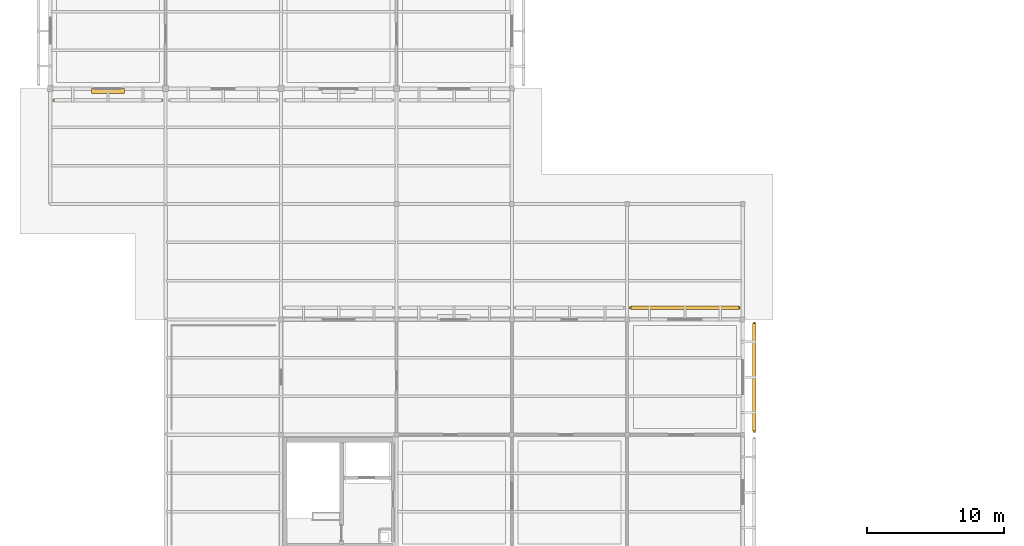
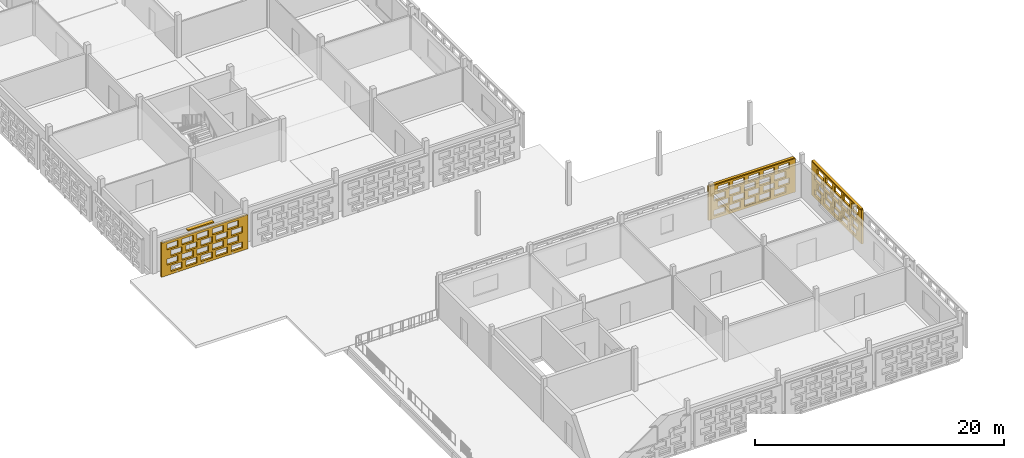
# One storey, part 84 of 103: 3 coverings, 3 shading devices, 60 openings.
"""IFC4 building model written with IfcOpenShell, lengths in metres."""

import ifcopenshell
import ifcopenshell.guid

model = None  # the IFC model being written
_history = None  # IfcOwnerHistory: only IFC2X3 demands one
_inside = {}  # id of a spatial element -> (the spatial element, [elements in it])
_under = {}  # id of a project, library or spatial element -> (it, [spatial elements below it])
_declared = {}  # id of a project -> (the project, [libraries it declares])
_typed = {}  # id of a type object -> (the type object, [elements of that type])
_made_of = {}  # id of a material, layer set ... -> (it, [elements and type objects made of it])


def new_model(schema):
    """Start an empty IFC model of exactly this schema.

    Asked for "IFC4X3", IfcOpenShell would pick the latest addendum, in which some entities
    have other attributes; the version numbers below select the first issue.
    IFC2X3 requires an IfcOwnerHistory on every rooted entity: one is made here for all.
    """
    global model, _history
    if schema == "IFC4X3":
        model = ifcopenshell.file(schema_version=(4, 3, 0, 0))
    else:
        model = ifcopenshell.file(schema=schema)
    _inside.clear()
    _under.clear()
    _declared.clear()
    _typed.clear()
    _made_of.clear()
    _history = None
    if model.schema == "IFC2X3":
        org = make("IfcOrganization", Name="unknown")
        user = make(
            "IfcPersonAndOrganization",
            ThePerson=make("IfcPerson", FamilyName="unknown"),
            TheOrganization=org,
        )
        app = make(
            "IfcApplication",
            ApplicationDeveloper=org,
            Version="unknown",
            ApplicationFullName="unknown",
            ApplicationIdentifier="unknown",
        )
        _history = make(
            "IfcOwnerHistory",
            OwningUser=user,
            OwningApplication=app,
            ChangeAction="ADDED",
            CreationDate=0,
        )
    return model


def make(cls, **values):
    """One entity of the class cls with the attributes given. An attribute that is None is left unset."""
    return model.create_entity(
        cls, **{name: value for name, value in values.items() if value is not None}
    )


def rooted(cls, **values):
    """An entity with a GlobalId (a new one), such as an element, a storey or a relation."""
    return make(cls, GlobalId=ifcopenshell.guid.new(), OwnerHistory=_history, **values)


def si_unit(unit_type, name, prefix=None):
    """IfcSIUnit, for example si_unit("LENGTHUNIT", "METRE", prefix="MILLI")."""
    return make("IfcSIUnit", UnitType=unit_type, Prefix=prefix, Name=name)


def assignment(units):
    """IfcUnitAssignment: the units of a project."""
    return None if units is None else make("IfcUnitAssignment", Units=units)


def point(xyz):
    """IfcCartesianPoint."""
    return None if xyz is None else make("IfcCartesianPoint", Coordinates=xyz)


def direction(xyz):
    """IfcDirection."""
    return None if xyz is None else make("IfcDirection", DirectionRatios=xyz)


def frame(location, z_axis=None, x_axis=None):
    """IfcAxis2Placement3D, a coordinate frame: its origin and axes. An axis left out is left unset."""
    return make(
        "IfcAxis2Placement3D",
        Location=point(location),
        Axis=direction(z_axis),
        RefDirection=direction(x_axis),
    )


def frame_2d(location, x_axis=None):
    """IfcAxis2Placement2D, a coordinate frame in the plane: its origin and x axis."""
    return make(
        "IfcAxis2Placement2D", Location=point(location), RefDirection=direction(x_axis)
    )


def origin():
    """The frame at (0, 0, 0) with its axes left unset."""
    return frame((0.0, 0.0, 0.0))


def origin_2d():
    """The frame at (0, 0) in the plane with its x axis left unset."""
    return frame_2d((0.0, 0.0))


def place(relative_to, where):
    """IfcLocalPlacement: puts the frame where relative to a parent placement (None: the world)."""
    return make(
        "IfcLocalPlacement", PlacementRelTo=relative_to, RelativePlacement=where
    )


def context(
    kind, dimensions, precision=None, world=None, true_north=None, identifier=None
):
    """IfcGeometricRepresentationContext, for example the 3D "Model" context."""
    return make(
        "IfcGeometricRepresentationContext",
        ContextIdentifier=identifier,
        ContextType=kind,
        CoordinateSpaceDimension=dimensions,
        Precision=precision,
        WorldCoordinateSystem=world,
        TrueNorth=true_north,
    )


def subcontext(parent, identifier, kind, view, scale=None):
    """IfcGeometricRepresentationSubContext, for example "Body" below "Model"."""
    return make(
        "IfcGeometricRepresentationSubContext",
        ContextIdentifier=identifier,
        ContextType=kind,
        ParentContext=parent,
        TargetScale=scale,
        TargetView=view,
    )


def project(units=None, contexts=None):
    """IfcProject with its units and contexts."""
    return rooted(
        "IfcProject",
        Name="project",
        RepresentationContexts=contexts,
        UnitsInContext=assignment(units),
    )


def spatial(cls, under=None, at=None, **own):
    """A site, building, storey or space (cls), placed at a placement, below another one or the project."""
    s = rooted(cls, ObjectPlacement=at, **own)
    if under is not None:
        _under.setdefault(under.id(), (under, []))[1].append(s)
    return s


def profile(cls, at=None, kind="AREA", **sizes):
    """A parametric profile (cls). Its sizes go by their IFC names, for example OverallWidth=200.0."""
    return make(cls, ProfileType=kind, Position=at, **sizes)


def rectangle(**sizes):
    """IfcRectangleProfileDef."""
    return profile("IfcRectangleProfileDef", **sizes)


def extrude(swept, where, along, depth):
    """IfcExtrudedAreaSolid: the profile swept, set in the frame where, extruded along a direction by depth."""
    return make(
        "IfcExtrudedAreaSolid",
        SweptArea=swept,
        Position=where,
        ExtrudedDirection=direction(along),
        Depth=depth,
    )


def shape(context_of_items, identifier, shape_type, items):
    """IfcShapeRepresentation: the items that make up one representation, for example the "Body"."""
    return make(
        "IfcShapeRepresentation",
        ContextOfItems=context_of_items,
        RepresentationIdentifier=identifier,
        RepresentationType=shape_type,
        Items=items,
    )


def material(Name=None, Category=None):
    """IfcMaterial."""
    return make("IfcMaterial", Name=Name, Category=Category)


def layer(
    of_material, thickness, ventilated=None, Name=None, Category=None, Priority=None
):
    """IfcMaterialLayer: one layer of a wall or slab, of a material (None: an air gap)."""
    return make(
        "IfcMaterialLayer",
        Material=of_material,
        LayerThickness=thickness,
        IsVentilated=ventilated,
        Name=Name,
        Category=Category,
        Priority=Priority,
    )


def layer_set(layers, Name=None):
    """IfcMaterialLayerSet."""
    return make("IfcMaterialLayerSet", MaterialLayers=layers, LayerSetName=Name)


def made_of(thing, what):
    """Note that an element or type object is made of a material, layer set ...; save() writes the relation."""
    if what is not None:
        _made_of.setdefault(what.id(), (what, []))[1].append(thing)
    return thing


def type_object(cls, material=None, **own):
    """A type object (cls), such as IfcWallType, which elements share."""
    return made_of(rooted(cls, **own), material)


def element(
    cls,
    number,
    at=None,
    inside=None,
    cuts=None,
    type_object=None,
    material=None,
    context=None,
    identifier="Body",
    shape_type=None,
    held_by="IfcProductDefinitionShape",
    body=None,
    shapes=None,
    **own,
):
    """One element of the class cls, such as IfcWall. Its Tag is "e" and its number.

    at: its placement. inside: the storey or other place that contains it. cuts: it is an
    opening in that element (IfcRelVoidsElement). A single representation is given by context,
    identifier, shape_type and body (its items); several are given by shapes. held_by: the class
    of the entity that holds the representations. save() writes the other relations.
    """
    e = rooted(cls, Tag="e%d" % number, ObjectPlacement=at, **own)
    if body is not None:
        shapes = [shape(context, identifier, shape_type, body)]
    if shapes is not None:
        e.Representation = make(held_by, Representations=shapes)
    if inside is not None:
        _inside.setdefault(inside.id(), (inside, []))[1].append(e)
    if cuts is not None:
        rooted(
            "IfcRelVoidsElement", RelatingBuildingElement=cuts, RelatedOpeningElement=e
        )
    if type_object is not None:
        _typed.setdefault(type_object.id(), (type_object, []))[1].append(e)
    return made_of(e, material)


def aggregate(whole, parts):
    """IfcRelAggregates: a whole, such as a stair, and the parts it consists of."""
    return rooted("IfcRelAggregates", RelatingObject=whole, RelatedObjects=parts)


def save(model, path):
    """Write the relations noted so far, then the file.

    IfcRelAggregates (storeys below a building ...), IfcRelContainedInSpatialStructure (elements
    in a storey), IfcRelDefinesByType, IfcRelAssociatesMaterial and IfcRelDeclares: one each for
    every whole, place, type object, material and project.
    """
    for whole, parts in _under.values():
        aggregate(whole, parts)
    for where, things in _inside.values():
        rooted(
            "IfcRelContainedInSpatialStructure",
            RelatedElements=things,
            RelatingStructure=where,
        )
    for kind, things in _typed.values():
        rooted("IfcRelDefinesByType", RelatedObjects=things, RelatingType=kind)
    for what, things in _made_of.values():
        rooted("IfcRelAssociatesMaterial", RelatedObjects=things, RelatingMaterial=what)
    for by, libraries in _declared.values():
        rooted("IfcRelDeclares", RelatingContext=by, RelatedDefinitions=libraries)
    model.write(path)


model = new_model("IFC4")

# Units and contexts
model_context = context("Model", 3, precision=1e-05, world=origin(), true_north=direction((0.0, 1.0)))
body_context = subcontext(model_context, "Body", "Model", "MODEL_VIEW")
ifc_project = project(units=[si_unit("LENGTHUNIT", "METRE"), si_unit("AREAUNIT", "SQUARE_METRE"), si_unit("VOLUMEUNIT", "CUBIC_METRE"), si_unit("PLANEANGLEUNIT", "RADIAN"), si_unit("MASSUNIT", "GRAM", prefix="KILO")], contexts=[model_context])

# Site, building, storey
site_placement = place(None, origin())
site = spatial("IfcSite", under=ifc_project, at=site_placement, CompositionType="ELEMENT")
building_placement = place(site_placement, origin())
building = spatial("IfcBuilding", under=site, at=building_placement, Name="Varnapada Polytechnic", CompositionType="ELEMENT")
storey_placement = place(building_placement, frame((0.0, 0.0, 18.0)))
storey = spatial("IfcBuildingStorey", under=building, at=storey_placement, Name="L04", CompositionType="ELEMENT", Elevation=18.0)

# Shading device
ifc_material_1 = material(Name="Anodised aluminium", Category="aluminium")
ifc_layer_1 = layer(ifc_material_1, 0.35009765625)
ifc_layer_set_1 = layer_set([ifc_layer_1], Name="Anodised aluminium")
shading_device_type_1 = type_object("IfcShadingDeviceType", Name="Solar Louvre LVR-01", PredefinedType="JALOUSIE", material=ifc_layer_set_1)
shading_device_1_placement = place(storey_placement, frame((4.199951171875, 50.219970703125, 3.159912109375), z_axis=(0.0, 0.0, 1.0), x_axis=(-1.0, 0.0, 0.0)))
element("IfcShadingDevice", 1, at=shading_device_1_placement, inside=storey, type_object=shading_device_type_1, Name="L04 aluminium sun louvre 1", PredefinedType="JALOUSIE", context=body_context, shape_type="SweptSolid", body=[
    extrude(rectangle(XDim=2.39990234375, YDim=0.340087890625, at=origin_2d()), origin(), (0.0, 0.0, 1.0), 0.1201171875),
])

# Covering, openings
ifc_material_2 = material(Name="Earth-toned architectural terracotta screen block", Category="masonry")
ifc_layer_2 = layer(ifc_material_2, 0.1201171875)
ifc_layer_set_2 = layer_set([ifc_layer_2], Name="Earth-toned architectural terracotta screen block")
covering_type = type_object("IfcCoveringType", Name="Terracotta Screen Cladding CLD-01", PredefinedType="CLADDING", material=ifc_layer_set_2)
covering_1_placement = place(storey_placement, frame((8.18994140625, 49.550048828125, 0.0), z_axis=(0.0, 0.0, 1.0), x_axis=(-1.0, 0.0, 0.0)))
covering_1 = element("IfcCovering", 2, at=covering_1_placement, inside=storey, type_object=covering_type, Name="L04 perforated terracotta block screen (1)", PredefinedType="CLADDING", context=body_context, shape_type="SweptSolid", body=[
    extrude(rectangle(XDim=7.97998046875, YDim=0.179931640625, at=frame_2d((3.989990234375, 0.0))), origin(), (0.0, 0.0, 1.0), 3.320068359375),
])
opening_1_placement = place(covering_1_placement, frame((0.489990234375, 0.0, 0.265625)))
element("IfcOpeningElement", 3, at=opening_1_placement, cuts=covering_1, Name="Screen perforation TBS-L04-000.1", PredefinedType="OPENING", context=body_context, shape_type="SweptSolid", body=[
    extrude(rectangle(XDim=1.0400390625, YDim=0.5810546875, at=frame_2d((0.52001953125, 0.29052734375))), frame((0.0, 0.099853515625, 0.0), z_axis=(0.0, -1.0, 0.0), x_axis=(1.0, 0.0, 0.0)), (0.0, 0.0, 1.0), 0.199951171875),
])
opening_2_placement = place(covering_1_placement, frame((1.889892578125, 0.0, 0.265625)))
element("IfcOpeningElement", 4, at=opening_2_placement, cuts=covering_1, Name="Screen perforation TBS-L04-000.2", PredefinedType="OPENING", context=body_context, shape_type="SweptSolid", body=[
    extrude(rectangle(XDim=1.0400390625, YDim=0.5810546875, at=frame_2d((0.52001953125, 0.29052734375))), frame((0.0, 0.099853515625, 0.0), z_axis=(0.0, -1.0, 0.0), x_axis=(1.0, 0.0, 0.0)), (0.0, 0.0, 1.0), 0.199951171875),
])
opening_3_placement = place(covering_1_placement, frame((3.2900390625, 0.0, 0.265625)))
element("IfcOpeningElement", 5, at=opening_3_placement, cuts=covering_1, Name="Screen perforation TBS-L04-000.3", PredefinedType="OPENING", context=body_context, shape_type="SweptSolid", body=[
    extrude(rectangle(XDim=1.0400390625, YDim=0.5810546875, at=frame_2d((0.52001953125, 0.29052734375))), frame((0.0, 0.099853515625, 0.0), z_axis=(0.0, -1.0, 0.0), x_axis=(1.0, 0.0, 0.0)), (0.0, 0.0, 1.0), 0.199951171875),
])
opening_4_placement = place(covering_1_placement, frame((4.68994140625, 0.0, 0.265625)))
element("IfcOpeningElement", 6, at=opening_4_placement, cuts=covering_1, Name="Screen perforation TBS-L04-000.4", PredefinedType="OPENING", context=body_context, shape_type="SweptSolid", body=[
    extrude(rectangle(XDim=1.0400390625, YDim=0.5810546875, at=frame_2d((0.52001953125, 0.29052734375))), frame((0.0, 0.099853515625, 0.0), z_axis=(0.0, -1.0, 0.0), x_axis=(1.0, 0.0, 0.0)), (0.0, 0.0, 1.0), 0.199951171875),
])
opening_5_placement = place(covering_1_placement, frame((6.090087890625, 0.0, 0.265625)))
element("IfcOpeningElement", 7, at=opening_5_placement, cuts=covering_1, Name="Screen perforation TBS-L04-000.5", PredefinedType="OPENING", context=body_context, shape_type="SweptSolid", body=[
    extrude(rectangle(XDim=1.0400390625, YDim=0.5810546875, at=frame_2d((0.52001953125, 0.29052734375))), frame((0.0, 0.099853515625, 0.0), z_axis=(0.0, -1.0, 0.0), x_axis=(1.0, 0.0, 0.0)), (0.0, 0.0, 1.0), 0.199951171875),
])
opening_6_placement = place(covering_1_placement, frame((0.85009765625, 0.0, 1.0126953125)))
element("IfcOpeningElement", 8, at=opening_6_placement, cuts=covering_1, Name="Screen perforation TBS-L04-000.6", PredefinedType="OPENING", context=body_context, shape_type="SweptSolid", body=[
    extrude(rectangle(XDim=1.0400390625, YDim=0.5810546875, at=frame_2d((0.52001953125, 0.29052734375))), frame((0.0, 0.099853515625, 0.0), z_axis=(0.0, -1.0, 0.0), x_axis=(1.0, 0.0, 0.0)), (0.0, 0.0, 1.0), 0.199951171875),
])
opening_7_placement = place(covering_1_placement, frame((2.25, 0.0, 1.0126953125)))
element("IfcOpeningElement", 9, at=opening_7_placement, cuts=covering_1, Name="Screen perforation TBS-L04-000.7", PredefinedType="OPENING", context=body_context, shape_type="SweptSolid", body=[
    extrude(rectangle(XDim=1.0400390625, YDim=0.5810546875, at=frame_2d((0.52001953125, 0.29052734375))), frame((0.0, 0.099853515625, 0.0), z_axis=(0.0, -1.0, 0.0), x_axis=(1.0, 0.0, 0.0)), (0.0, 0.0, 1.0), 0.199951171875),
])
opening_8_placement = place(covering_1_placement, frame((3.64990234375, 0.0, 1.0126953125)))
element("IfcOpeningElement", 10, at=opening_8_placement, cuts=covering_1, Name="Screen perforation TBS-L04-000.8", PredefinedType="OPENING", context=body_context, shape_type="SweptSolid", body=[
    extrude(rectangle(XDim=1.0400390625, YDim=0.5810546875, at=frame_2d((0.52001953125, 0.29052734375))), frame((0.0, 0.099853515625, 0.0), z_axis=(0.0, -1.0, 0.0), x_axis=(1.0, 0.0, 0.0)), (0.0, 0.0, 1.0), 0.199951171875),
])
opening_9_placement = place(covering_1_placement, frame((5.050048828125, 0.0, 1.0126953125)))
element("IfcOpeningElement", 11, at=opening_9_placement, cuts=covering_1, Name="Screen perforation TBS-L04-000.9", PredefinedType="OPENING", context=body_context, shape_type="SweptSolid", body=[
    extrude(rectangle(XDim=1.0400390625, YDim=0.5810546875, at=frame_2d((0.52001953125, 0.29052734375))), frame((0.0, 0.099853515625, 0.0), z_axis=(0.0, -1.0, 0.0), x_axis=(1.0, 0.0, 0.0)), (0.0, 0.0, 1.0), 0.199951171875),
])
opening_10_placement = place(covering_1_placement, frame((6.449951171875, 0.0, 1.0126953125)))
element("IfcOpeningElement", 12, at=opening_10_placement, cuts=covering_1, Name="Screen perforation TBS-L04-000.10", PredefinedType="OPENING", context=body_context, shape_type="SweptSolid", body=[
    extrude(rectangle(XDim=1.0400390625, YDim=0.5810546875, at=frame_2d((0.52001953125, 0.29052734375))), frame((0.0, 0.099853515625, 0.0), z_axis=(0.0, -1.0, 0.0), x_axis=(1.0, 0.0, 0.0)), (0.0, 0.0, 1.0), 0.199951171875),
])
opening_11_placement = place(covering_1_placement, frame((0.489990234375, 0.0, 1.759521484375)))
element("IfcOpeningElement", 13, at=opening_11_placement, cuts=covering_1, Name="Screen perforation TBS-L04-000.11", PredefinedType="OPENING", context=body_context, shape_type="SweptSolid", body=[
    extrude(rectangle(XDim=1.0400390625, YDim=0.5810546875, at=frame_2d((0.52001953125, 0.29052734375))), frame((0.0, 0.099853515625, 0.0), z_axis=(0.0, -1.0, 0.0), x_axis=(1.0, 0.0, 0.0)), (0.0, 0.0, 1.0), 0.199951171875),
])
opening_12_placement = place(covering_1_placement, frame((1.889892578125, 0.0, 1.759521484375)))
element("IfcOpeningElement", 14, at=opening_12_placement, cuts=covering_1, Name="Screen perforation TBS-L04-000.12", PredefinedType="OPENING", context=body_context, shape_type="SweptSolid", body=[
    extrude(rectangle(XDim=1.0400390625, YDim=0.5810546875, at=frame_2d((0.52001953125, 0.29052734375))), frame((0.0, 0.099853515625, 0.0), z_axis=(0.0, -1.0, 0.0), x_axis=(1.0, 0.0, 0.0)), (0.0, 0.0, 1.0), 0.199951171875),
])
opening_13_placement = place(covering_1_placement, frame((3.2900390625, 0.0, 1.759521484375)))
element("IfcOpeningElement", 15, at=opening_13_placement, cuts=covering_1, Name="Screen perforation TBS-L04-000.13", PredefinedType="OPENING", context=body_context, shape_type="SweptSolid", body=[
    extrude(rectangle(XDim=1.0400390625, YDim=0.5810546875, at=frame_2d((0.52001953125, 0.29052734375))), frame((0.0, 0.099853515625, 0.0), z_axis=(0.0, -1.0, 0.0), x_axis=(1.0, 0.0, 0.0)), (0.0, 0.0, 1.0), 0.199951171875),
])
opening_14_placement = place(covering_1_placement, frame((4.68994140625, 0.0, 1.759521484375)))
element("IfcOpeningElement", 16, at=opening_14_placement, cuts=covering_1, Name="Screen perforation TBS-L04-000.14", PredefinedType="OPENING", context=body_context, shape_type="SweptSolid", body=[
    extrude(rectangle(XDim=1.0400390625, YDim=0.5810546875, at=frame_2d((0.52001953125, 0.29052734375))), frame((0.0, 0.099853515625, 0.0), z_axis=(0.0, -1.0, 0.0), x_axis=(1.0, 0.0, 0.0)), (0.0, 0.0, 1.0), 0.199951171875),
])
opening_15_placement = place(covering_1_placement, frame((6.090087890625, 0.0, 1.759521484375)))
element("IfcOpeningElement", 17, at=opening_15_placement, cuts=covering_1, Name="Screen perforation TBS-L04-000.15", PredefinedType="OPENING", context=body_context, shape_type="SweptSolid", body=[
    extrude(rectangle(XDim=1.0400390625, YDim=0.5810546875, at=frame_2d((0.52001953125, 0.29052734375))), frame((0.0, 0.099853515625, 0.0), z_axis=(0.0, -1.0, 0.0), x_axis=(1.0, 0.0, 0.0)), (0.0, 0.0, 1.0), 0.199951171875),
])
opening_16_placement = place(covering_1_placement, frame((0.85009765625, 0.0, 2.506591796875)))
element("IfcOpeningElement", 18, at=opening_16_placement, cuts=covering_1, Name="Screen perforation TBS-L04-000.16", PredefinedType="OPENING", context=body_context, shape_type="SweptSolid", body=[
    extrude(rectangle(XDim=1.0400390625, YDim=0.5810546875, at=frame_2d((0.52001953125, 0.29052734375))), frame((0.0, 0.099853515625, 0.0), z_axis=(0.0, -1.0, 0.0), x_axis=(1.0, 0.0, 0.0)), (0.0, 0.0, 1.0), 0.199951171875),
])
opening_17_placement = place(covering_1_placement, frame((2.25, 0.0, 2.506591796875)))
element("IfcOpeningElement", 19, at=opening_17_placement, cuts=covering_1, Name="Screen perforation TBS-L04-000.17", PredefinedType="OPENING", context=body_context, shape_type="SweptSolid", body=[
    extrude(rectangle(XDim=1.0400390625, YDim=0.5810546875, at=frame_2d((0.52001953125, 0.29052734375))), frame((0.0, 0.099853515625, 0.0), z_axis=(0.0, -1.0, 0.0), x_axis=(1.0, 0.0, 0.0)), (0.0, 0.0, 1.0), 0.199951171875),
])
opening_18_placement = place(covering_1_placement, frame((3.64990234375, 0.0, 2.506591796875)))
element("IfcOpeningElement", 20, at=opening_18_placement, cuts=covering_1, Name="Screen perforation TBS-L04-000.18", PredefinedType="OPENING", context=body_context, shape_type="SweptSolid", body=[
    extrude(rectangle(XDim=1.0400390625, YDim=0.5810546875, at=frame_2d((0.52001953125, 0.29052734375))), frame((0.0, 0.099853515625, 0.0), z_axis=(0.0, -1.0, 0.0), x_axis=(1.0, 0.0, 0.0)), (0.0, 0.0, 1.0), 0.199951171875),
])
opening_19_placement = place(covering_1_placement, frame((5.050048828125, 0.0, 2.506591796875)))
element("IfcOpeningElement", 21, at=opening_19_placement, cuts=covering_1, Name="Screen perforation TBS-L04-000.19", PredefinedType="OPENING", context=body_context, shape_type="SweptSolid", body=[
    extrude(rectangle(XDim=1.0400390625, YDim=0.5810546875, at=frame_2d((0.52001953125, 0.29052734375))), frame((0.0, 0.099853515625, 0.0), z_axis=(0.0, -1.0, 0.0), x_axis=(1.0, 0.0, 0.0)), (0.0, 0.0, 1.0), 0.199951171875),
])
opening_20_placement = place(covering_1_placement, frame((6.449951171875, 0.0, 2.506591796875)))
element("IfcOpeningElement", 22, at=opening_20_placement, cuts=covering_1, Name="Screen perforation TBS-L04-000.20", PredefinedType="OPENING", context=body_context, shape_type="SweptSolid", body=[
    extrude(rectangle(XDim=1.0400390625, YDim=0.5810546875, at=frame_2d((0.52001953125, 0.29052734375))), frame((0.0, 0.099853515625, 0.0), z_axis=(0.0, -1.0, 0.0), x_axis=(1.0, 0.0, 0.0)), (0.0, 0.0, 1.0), 0.199951171875),
])

covering_2_placement = place(storey_placement, frame((42.179931640625, 34.449951171875, 0.0), z_axis=(0.0, 0.0, 1.0), x_axis=(1.0, 0.0, 0.0)))
covering_2 = element("IfcCovering", 23, at=covering_2_placement, inside=storey, type_object=covering_type, Name="L04 perforated terracotta block screen (39)", PredefinedType="CLADDING", context=body_context, shape_type="SweptSolid", body=[
    extrude(rectangle(XDim=8.0400390625, YDim=0.179931640625, at=frame_2d((4.02001953125, 0.0))), origin(), (0.0, 0.0, 1.0), 3.320068359375),
])
opening_21_placement = place(covering_2_placement, frame((0.52001953125, 0.0, 0.265625)))
element("IfcOpeningElement", 24, at=opening_21_placement, cuts=covering_2, Name="Screen perforation TBS-L04-038.1", PredefinedType="OPENING", context=body_context, shape_type="SweptSolid", body=[
    extrude(rectangle(XDim=1.0400390625, YDim=0.5810546875, at=frame_2d((0.52001953125, 0.29052734375))), frame((0.0, 0.099853515625, 0.0), z_axis=(0.0, -1.0, 0.0), x_axis=(1.0, 0.0, 0.0)), (0.0, 0.0, 1.0), 0.199951171875),
])
opening_22_placement = place(covering_2_placement, frame((1.919921875, 0.0, 0.265625)))
element("IfcOpeningElement", 25, at=opening_22_placement, cuts=covering_2, Name="Screen perforation TBS-L04-038.2", PredefinedType="OPENING", context=body_context, shape_type="SweptSolid", body=[
    extrude(rectangle(XDim=1.0400390625, YDim=0.5810546875, at=frame_2d((0.52001953125, 0.29052734375))), frame((0.0, 0.099853515625, 0.0), z_axis=(0.0, -1.0, 0.0), x_axis=(1.0, 0.0, 0.0)), (0.0, 0.0, 1.0), 0.199951171875),
])
opening_23_placement = place(covering_2_placement, frame((3.320068359375, 0.0, 0.265625)))
element("IfcOpeningElement", 26, at=opening_23_placement, cuts=covering_2, Name="Screen perforation TBS-L04-038.3", PredefinedType="OPENING", context=body_context, shape_type="SweptSolid", body=[
    extrude(rectangle(XDim=1.0400390625, YDim=0.5810546875, at=frame_2d((0.52001953125, 0.29052734375))), frame((0.0, 0.099853515625, 0.0), z_axis=(0.0, -1.0, 0.0), x_axis=(1.0, 0.0, 0.0)), (0.0, 0.0, 1.0), 0.199951171875),
])
opening_24_placement = place(covering_2_placement, frame((4.719970703125, 0.0, 0.265625)))
element("IfcOpeningElement", 27, at=opening_24_placement, cuts=covering_2, Name="Screen perforation TBS-L04-038.4", PredefinedType="OPENING", context=body_context, shape_type="SweptSolid", body=[
    extrude(rectangle(XDim=1.0400390625, YDim=0.5810546875, at=frame_2d((0.52001953125, 0.29052734375))), frame((0.0, 0.099853515625, 0.0), z_axis=(0.0, -1.0, 0.0), x_axis=(1.0, 0.0, 0.0)), (0.0, 0.0, 1.0), 0.199951171875),
])
opening_25_placement = place(covering_2_placement, frame((6.1201171875, 0.0, 0.265625)))
element("IfcOpeningElement", 28, at=opening_25_placement, cuts=covering_2, Name="Screen perforation TBS-L04-038.5", PredefinedType="OPENING", context=body_context, shape_type="SweptSolid", body=[
    extrude(rectangle(XDim=1.0400390625, YDim=0.5810546875, at=frame_2d((0.52001953125, 0.29052734375))), frame((0.0, 0.099853515625, 0.0), z_axis=(0.0, -1.0, 0.0), x_axis=(1.0, 0.0, 0.0)), (0.0, 0.0, 1.0), 0.199951171875),
])
opening_26_placement = place(covering_2_placement, frame((0.8798828125, 0.0, 1.0126953125)))
element("IfcOpeningElement", 29, at=opening_26_placement, cuts=covering_2, Name="Screen perforation TBS-L04-038.6", PredefinedType="OPENING", context=body_context, shape_type="SweptSolid", body=[
    extrude(rectangle(XDim=1.0400390625, YDim=0.5810546875, at=frame_2d((0.52001953125, 0.29052734375))), frame((0.0, 0.099853515625, 0.0), z_axis=(0.0, -1.0, 0.0), x_axis=(1.0, 0.0, 0.0)), (0.0, 0.0, 1.0), 0.199951171875),
])
opening_27_placement = place(covering_2_placement, frame((2.280029296875, 0.0, 1.0126953125)))
element("IfcOpeningElement", 30, at=opening_27_placement, cuts=covering_2, Name="Screen perforation TBS-L04-038.7", PredefinedType="OPENING", context=body_context, shape_type="SweptSolid", body=[
    extrude(rectangle(XDim=1.0400390625, YDim=0.5810546875, at=frame_2d((0.52001953125, 0.29052734375))), frame((0.0, 0.099853515625, 0.0), z_axis=(0.0, -1.0, 0.0), x_axis=(1.0, 0.0, 0.0)), (0.0, 0.0, 1.0), 0.199951171875),
])
opening_28_placement = place(covering_2_placement, frame((3.679931640625, 0.0, 1.0126953125)))
element("IfcOpeningElement", 31, at=opening_28_placement, cuts=covering_2, Name="Screen perforation TBS-L04-038.8", PredefinedType="OPENING", context=body_context, shape_type="SweptSolid", body=[
    extrude(rectangle(XDim=1.0400390625, YDim=0.5810546875, at=frame_2d((0.52001953125, 0.29052734375))), frame((0.0, 0.099853515625, 0.0), z_axis=(0.0, -1.0, 0.0), x_axis=(1.0, 0.0, 0.0)), (0.0, 0.0, 1.0), 0.199951171875),
])
opening_29_placement = place(covering_2_placement, frame((5.080078125, 0.0, 1.0126953125)))
element("IfcOpeningElement", 32, at=opening_29_placement, cuts=covering_2, Name="Screen perforation TBS-L04-038.9", PredefinedType="OPENING", context=body_context, shape_type="SweptSolid", body=[
    extrude(rectangle(XDim=1.0400390625, YDim=0.5810546875, at=frame_2d((0.52001953125, 0.29052734375))), frame((0.0, 0.099853515625, 0.0), z_axis=(0.0, -1.0, 0.0), x_axis=(1.0, 0.0, 0.0)), (0.0, 0.0, 1.0), 0.199951171875),
])
opening_30_placement = place(covering_2_placement, frame((6.47998046875, 0.0, 1.0126953125)))
element("IfcOpeningElement", 33, at=opening_30_placement, cuts=covering_2, Name="Screen perforation TBS-L04-038.10", PredefinedType="OPENING", context=body_context, shape_type="SweptSolid", body=[
    extrude(rectangle(XDim=1.0400390625, YDim=0.5810546875, at=frame_2d((0.52001953125, 0.29052734375))), frame((0.0, 0.099853515625, 0.0), z_axis=(0.0, -1.0, 0.0), x_axis=(1.0, 0.0, 0.0)), (0.0, 0.0, 1.0), 0.199951171875),
])
opening_31_placement = place(covering_2_placement, frame((0.52001953125, 0.0, 1.759521484375)))
element("IfcOpeningElement", 34, at=opening_31_placement, cuts=covering_2, Name="Screen perforation TBS-L04-038.11", PredefinedType="OPENING", context=body_context, shape_type="SweptSolid", body=[
    extrude(rectangle(XDim=1.0400390625, YDim=0.5810546875, at=frame_2d((0.52001953125, 0.29052734375))), frame((0.0, 0.099853515625, 0.0), z_axis=(0.0, -1.0, 0.0), x_axis=(1.0, 0.0, 0.0)), (0.0, 0.0, 1.0), 0.199951171875),
])
opening_32_placement = place(covering_2_placement, frame((1.919921875, 0.0, 1.759521484375)))
element("IfcOpeningElement", 35, at=opening_32_placement, cuts=covering_2, Name="Screen perforation TBS-L04-038.12", PredefinedType="OPENING", context=body_context, shape_type="SweptSolid", body=[
    extrude(rectangle(XDim=1.0400390625, YDim=0.5810546875, at=frame_2d((0.52001953125, 0.29052734375))), frame((0.0, 0.099853515625, 0.0), z_axis=(0.0, -1.0, 0.0), x_axis=(1.0, 0.0, 0.0)), (0.0, 0.0, 1.0), 0.199951171875),
])
opening_33_placement = place(covering_2_placement, frame((3.320068359375, 0.0, 1.759521484375)))
element("IfcOpeningElement", 36, at=opening_33_placement, cuts=covering_2, Name="Screen perforation TBS-L04-038.13", PredefinedType="OPENING", context=body_context, shape_type="SweptSolid", body=[
    extrude(rectangle(XDim=1.0400390625, YDim=0.5810546875, at=frame_2d((0.52001953125, 0.29052734375))), frame((0.0, 0.099853515625, 0.0), z_axis=(0.0, -1.0, 0.0), x_axis=(1.0, 0.0, 0.0)), (0.0, 0.0, 1.0), 0.199951171875),
])
opening_34_placement = place(covering_2_placement, frame((4.719970703125, 0.0, 1.759521484375)))
element("IfcOpeningElement", 37, at=opening_34_placement, cuts=covering_2, Name="Screen perforation TBS-L04-038.14", PredefinedType="OPENING", context=body_context, shape_type="SweptSolid", body=[
    extrude(rectangle(XDim=1.0400390625, YDim=0.5810546875, at=frame_2d((0.52001953125, 0.29052734375))), frame((0.0, 0.099853515625, 0.0), z_axis=(0.0, -1.0, 0.0), x_axis=(1.0, 0.0, 0.0)), (0.0, 0.0, 1.0), 0.199951171875),
])
opening_35_placement = place(covering_2_placement, frame((6.1201171875, 0.0, 1.759521484375)))
element("IfcOpeningElement", 38, at=opening_35_placement, cuts=covering_2, Name="Screen perforation TBS-L04-038.15", PredefinedType="OPENING", context=body_context, shape_type="SweptSolid", body=[
    extrude(rectangle(XDim=1.0400390625, YDim=0.5810546875, at=frame_2d((0.52001953125, 0.29052734375))), frame((0.0, 0.099853515625, 0.0), z_axis=(0.0, -1.0, 0.0), x_axis=(1.0, 0.0, 0.0)), (0.0, 0.0, 1.0), 0.199951171875),
])
opening_36_placement = place(covering_2_placement, frame((0.8798828125, 0.0, 2.506591796875)))
element("IfcOpeningElement", 39, at=opening_36_placement, cuts=covering_2, Name="Screen perforation TBS-L04-038.16", PredefinedType="OPENING", context=body_context, shape_type="SweptSolid", body=[
    extrude(rectangle(XDim=1.0400390625, YDim=0.5810546875, at=frame_2d((0.52001953125, 0.29052734375))), frame((0.0, 0.099853515625, 0.0), z_axis=(0.0, -1.0, 0.0), x_axis=(1.0, 0.0, 0.0)), (0.0, 0.0, 1.0), 0.199951171875),
])
opening_37_placement = place(covering_2_placement, frame((2.280029296875, 0.0, 2.506591796875)))
element("IfcOpeningElement", 40, at=opening_37_placement, cuts=covering_2, Name="Screen perforation TBS-L04-038.17", PredefinedType="OPENING", context=body_context, shape_type="SweptSolid", body=[
    extrude(rectangle(XDim=1.0400390625, YDim=0.5810546875, at=frame_2d((0.52001953125, 0.29052734375))), frame((0.0, 0.099853515625, 0.0), z_axis=(0.0, -1.0, 0.0), x_axis=(1.0, 0.0, 0.0)), (0.0, 0.0, 1.0), 0.199951171875),
])
opening_38_placement = place(covering_2_placement, frame((3.679931640625, 0.0, 2.506591796875)))
element("IfcOpeningElement", 41, at=opening_38_placement, cuts=covering_2, Name="Screen perforation TBS-L04-038.18", PredefinedType="OPENING", context=body_context, shape_type="SweptSolid", body=[
    extrude(rectangle(XDim=1.0400390625, YDim=0.5810546875, at=frame_2d((0.52001953125, 0.29052734375))), frame((0.0, 0.099853515625, 0.0), z_axis=(0.0, -1.0, 0.0), x_axis=(1.0, 0.0, 0.0)), (0.0, 0.0, 1.0), 0.199951171875),
])
opening_39_placement = place(covering_2_placement, frame((5.080078125, 0.0, 2.506591796875)))
element("IfcOpeningElement", 42, at=opening_39_placement, cuts=covering_2, Name="Screen perforation TBS-L04-038.19", PredefinedType="OPENING", context=body_context, shape_type="SweptSolid", body=[
    extrude(rectangle(XDim=1.0400390625, YDim=0.5810546875, at=frame_2d((0.52001953125, 0.29052734375))), frame((0.0, 0.099853515625, 0.0), z_axis=(0.0, -1.0, 0.0), x_axis=(1.0, 0.0, 0.0)), (0.0, 0.0, 1.0), 0.199951171875),
])
opening_40_placement = place(covering_2_placement, frame((6.47998046875, 0.0, 2.506591796875)))
element("IfcOpeningElement", 43, at=opening_40_placement, cuts=covering_2, Name="Screen perforation TBS-L04-038.20", PredefinedType="OPENING", context=body_context, shape_type="SweptSolid", body=[
    extrude(rectangle(XDim=1.0400390625, YDim=0.5810546875, at=frame_2d((0.52001953125, 0.29052734375))), frame((0.0, 0.099853515625, 0.0), z_axis=(0.0, -1.0, 0.0), x_axis=(1.0, 0.0, 0.0)), (0.0, 0.0, 1.0), 0.199951171875),
])

covering_3_placement = place(storey_placement, frame((51.25, 33.419921875, 0.0), z_axis=(0.0, 0.0, 1.0), x_axis=(0.0, -1.0, 0.0)))
covering_3 = element("IfcCovering", 44, at=covering_3_placement, inside=storey, type_object=covering_type, Name="L04 perforated terracotta block screen (40)", PredefinedType="CLADDING", context=body_context, shape_type="SweptSolid", body=[
    extrude(rectangle(XDim=8.0498046875, YDim=0.179931640625, at=frame_2d((4.02490234375, 0.0))), origin(), (0.0, 0.0, 1.0), 3.320068359375),
])
opening_41_placement = place(covering_3_placement, frame((0.52490234375, 0.0, 0.265625)))
element("IfcOpeningElement", 45, at=opening_41_placement, cuts=covering_3, Name="Screen perforation TBS-L04-039.1", PredefinedType="OPENING", context=body_context, shape_type="SweptSolid", body=[
    extrude(rectangle(XDim=1.0400390625, YDim=0.5810546875, at=frame_2d((0.52001953125, 0.29052734375))), frame((0.0, 0.099853515625, 0.0), z_axis=(0.0, -1.0, 0.0), x_axis=(1.0, 0.0, 0.0)), (0.0, 0.0, 1.0), 0.199951171875),
])
opening_42_placement = place(covering_3_placement, frame((1.925048828125, 0.0, 0.265625)))
element("IfcOpeningElement", 46, at=opening_42_placement, cuts=covering_3, Name="Screen perforation TBS-L04-039.2", PredefinedType="OPENING", context=body_context, shape_type="SweptSolid", body=[
    extrude(rectangle(XDim=1.0400390625, YDim=0.5810546875, at=frame_2d((0.52001953125, 0.29052734375))), frame((0.0, 0.099853515625, 0.0), z_axis=(0.0, -1.0, 0.0), x_axis=(1.0, 0.0, 0.0)), (0.0, 0.0, 1.0), 0.199951171875),
])
opening_43_placement = place(covering_3_placement, frame((3.324951171875, 0.0, 0.265625)))
element("IfcOpeningElement", 47, at=opening_43_placement, cuts=covering_3, Name="Screen perforation TBS-L04-039.3", PredefinedType="OPENING", context=body_context, shape_type="SweptSolid", body=[
    extrude(rectangle(XDim=1.0400390625, YDim=0.5810546875, at=frame_2d((0.52001953125, 0.29052734375))), frame((0.0, 0.099853515625, 0.0), z_axis=(0.0, -1.0, 0.0), x_axis=(1.0, 0.0, 0.0)), (0.0, 0.0, 1.0), 0.199951171875),
])
opening_44_placement = place(covering_3_placement, frame((4.72509765625, 0.0, 0.265625)))
element("IfcOpeningElement", 48, at=opening_44_placement, cuts=covering_3, Name="Screen perforation TBS-L04-039.4", PredefinedType="OPENING", context=body_context, shape_type="SweptSolid", body=[
    extrude(rectangle(XDim=1.0400390625, YDim=0.5810546875, at=frame_2d((0.52001953125, 0.29052734375))), frame((0.0, 0.099853515625, 0.0), z_axis=(0.0, -1.0, 0.0), x_axis=(1.0, 0.0, 0.0)), (0.0, 0.0, 1.0), 0.199951171875),
])
opening_45_placement = place(covering_3_placement, frame((6.125, 0.0, 0.265625)))
element("IfcOpeningElement", 49, at=opening_45_placement, cuts=covering_3, Name="Screen perforation TBS-L04-039.5", PredefinedType="OPENING", context=body_context, shape_type="SweptSolid", body=[
    extrude(rectangle(XDim=1.0400390625, YDim=0.5810546875, at=frame_2d((0.52001953125, 0.29052734375))), frame((0.0, 0.099853515625, 0.0), z_axis=(0.0, -1.0, 0.0), x_axis=(1.0, 0.0, 0.0)), (0.0, 0.0, 1.0), 0.199951171875),
])
opening_46_placement = place(covering_3_placement, frame((0.885009765625, 0.0, 1.0126953125)))
element("IfcOpeningElement", 50, at=opening_46_placement, cuts=covering_3, Name="Screen perforation TBS-L04-039.6", PredefinedType="OPENING", context=body_context, shape_type="SweptSolid", body=[
    extrude(rectangle(XDim=1.0400390625, YDim=0.5810546875, at=frame_2d((0.52001953125, 0.29052734375))), frame((0.0, 0.099853515625, 0.0), z_axis=(0.0, -1.0, 0.0), x_axis=(1.0, 0.0, 0.0)), (0.0, 0.0, 1.0), 0.199951171875),
])
opening_47_placement = place(covering_3_placement, frame((2.284912109375, 0.0, 1.0126953125)))
element("IfcOpeningElement", 51, at=opening_47_placement, cuts=covering_3, Name="Screen perforation TBS-L04-039.7", PredefinedType="OPENING", context=body_context, shape_type="SweptSolid", body=[
    extrude(rectangle(XDim=1.0400390625, YDim=0.5810546875, at=frame_2d((0.52001953125, 0.29052734375))), frame((0.0, 0.099853515625, 0.0), z_axis=(0.0, -1.0, 0.0), x_axis=(1.0, 0.0, 0.0)), (0.0, 0.0, 1.0), 0.199951171875),
])
opening_48_placement = place(covering_3_placement, frame((3.68505859375, 0.0, 1.0126953125)))
element("IfcOpeningElement", 52, at=opening_48_placement, cuts=covering_3, Name="Screen perforation TBS-L04-039.8", PredefinedType="OPENING", context=body_context, shape_type="SweptSolid", body=[
    extrude(rectangle(XDim=1.0400390625, YDim=0.5810546875, at=frame_2d((0.52001953125, 0.29052734375))), frame((0.0, 0.099853515625, 0.0), z_axis=(0.0, -1.0, 0.0), x_axis=(1.0, 0.0, 0.0)), (0.0, 0.0, 1.0), 0.199951171875),
])
opening_49_placement = place(covering_3_placement, frame((5.0849609375, 0.0, 1.0126953125)))
element("IfcOpeningElement", 53, at=opening_49_placement, cuts=covering_3, Name="Screen perforation TBS-L04-039.9", PredefinedType="OPENING", context=body_context, shape_type="SweptSolid", body=[
    extrude(rectangle(XDim=1.0400390625, YDim=0.5810546875, at=frame_2d((0.52001953125, 0.29052734375))), frame((0.0, 0.099853515625, 0.0), z_axis=(0.0, -1.0, 0.0), x_axis=(1.0, 0.0, 0.0)), (0.0, 0.0, 1.0), 0.199951171875),
])
opening_50_placement = place(covering_3_placement, frame((6.485107421875, 0.0, 1.0126953125)))
element("IfcOpeningElement", 54, at=opening_50_placement, cuts=covering_3, Name="Screen perforation TBS-L04-039.10", PredefinedType="OPENING", context=body_context, shape_type="SweptSolid", body=[
    extrude(rectangle(XDim=1.0400390625, YDim=0.5810546875, at=frame_2d((0.52001953125, 0.29052734375))), frame((0.0, 0.099853515625, 0.0), z_axis=(0.0, -1.0, 0.0), x_axis=(1.0, 0.0, 0.0)), (0.0, 0.0, 1.0), 0.199951171875),
])
opening_51_placement = place(covering_3_placement, frame((0.52490234375, 0.0, 1.759521484375)))
element("IfcOpeningElement", 55, at=opening_51_placement, cuts=covering_3, Name="Screen perforation TBS-L04-039.11", PredefinedType="OPENING", context=body_context, shape_type="SweptSolid", body=[
    extrude(rectangle(XDim=1.0400390625, YDim=0.5810546875, at=frame_2d((0.52001953125, 0.29052734375))), frame((0.0, 0.099853515625, 0.0), z_axis=(0.0, -1.0, 0.0), x_axis=(1.0, 0.0, 0.0)), (0.0, 0.0, 1.0), 0.199951171875),
])
opening_52_placement = place(covering_3_placement, frame((1.925048828125, 0.0, 1.759521484375)))
element("IfcOpeningElement", 56, at=opening_52_placement, cuts=covering_3, Name="Screen perforation TBS-L04-039.12", PredefinedType="OPENING", context=body_context, shape_type="SweptSolid", body=[
    extrude(rectangle(XDim=1.0400390625, YDim=0.5810546875, at=frame_2d((0.52001953125, 0.29052734375))), frame((0.0, 0.099853515625, 0.0), z_axis=(0.0, -1.0, 0.0), x_axis=(1.0, 0.0, 0.0)), (0.0, 0.0, 1.0), 0.199951171875),
])
opening_53_placement = place(covering_3_placement, frame((3.324951171875, 0.0, 1.759521484375)))
element("IfcOpeningElement", 57, at=opening_53_placement, cuts=covering_3, Name="Screen perforation TBS-L04-039.13", PredefinedType="OPENING", context=body_context, shape_type="SweptSolid", body=[
    extrude(rectangle(XDim=1.0400390625, YDim=0.5810546875, at=frame_2d((0.52001953125, 0.29052734375))), frame((0.0, 0.099853515625, 0.0), z_axis=(0.0, -1.0, 0.0), x_axis=(1.0, 0.0, 0.0)), (0.0, 0.0, 1.0), 0.199951171875),
])
opening_54_placement = place(covering_3_placement, frame((4.72509765625, 0.0, 1.759521484375)))
element("IfcOpeningElement", 58, at=opening_54_placement, cuts=covering_3, Name="Screen perforation TBS-L04-039.14", PredefinedType="OPENING", context=body_context, shape_type="SweptSolid", body=[
    extrude(rectangle(XDim=1.0400390625, YDim=0.5810546875, at=frame_2d((0.52001953125, 0.29052734375))), frame((0.0, 0.099853515625, 0.0), z_axis=(0.0, -1.0, 0.0), x_axis=(1.0, 0.0, 0.0)), (0.0, 0.0, 1.0), 0.199951171875),
])
opening_55_placement = place(covering_3_placement, frame((6.125, 0.0, 1.759521484375)))
element("IfcOpeningElement", 59, at=opening_55_placement, cuts=covering_3, Name="Screen perforation TBS-L04-039.15", PredefinedType="OPENING", context=body_context, shape_type="SweptSolid", body=[
    extrude(rectangle(XDim=1.0400390625, YDim=0.5810546875, at=frame_2d((0.52001953125, 0.29052734375))), frame((0.0, 0.099853515625, 0.0), z_axis=(0.0, -1.0, 0.0), x_axis=(1.0, 0.0, 0.0)), (0.0, 0.0, 1.0), 0.199951171875),
])
opening_56_placement = place(covering_3_placement, frame((0.885009765625, 0.0, 2.506591796875)))
element("IfcOpeningElement", 60, at=opening_56_placement, cuts=covering_3, Name="Screen perforation TBS-L04-039.16", PredefinedType="OPENING", context=body_context, shape_type="SweptSolid", body=[
    extrude(rectangle(XDim=1.0400390625, YDim=0.5810546875, at=frame_2d((0.52001953125, 0.29052734375))), frame((0.0, 0.099853515625, 0.0), z_axis=(0.0, -1.0, 0.0), x_axis=(1.0, 0.0, 0.0)), (0.0, 0.0, 1.0), 0.199951171875),
])
opening_57_placement = place(covering_3_placement, frame((2.284912109375, 0.0, 2.506591796875)))
element("IfcOpeningElement", 61, at=opening_57_placement, cuts=covering_3, Name="Screen perforation TBS-L04-039.17", PredefinedType="OPENING", context=body_context, shape_type="SweptSolid", body=[
    extrude(rectangle(XDim=1.0400390625, YDim=0.5810546875, at=frame_2d((0.52001953125, 0.29052734375))), frame((0.0, 0.099853515625, 0.0), z_axis=(0.0, -1.0, 0.0), x_axis=(1.0, 0.0, 0.0)), (0.0, 0.0, 1.0), 0.199951171875),
])
opening_58_placement = place(covering_3_placement, frame((3.68505859375, 0.0, 2.506591796875)))
element("IfcOpeningElement", 62, at=opening_58_placement, cuts=covering_3, Name="Screen perforation TBS-L04-039.18", PredefinedType="OPENING", context=body_context, shape_type="SweptSolid", body=[
    extrude(rectangle(XDim=1.0400390625, YDim=0.5810546875, at=frame_2d((0.52001953125, 0.29052734375))), frame((0.0, 0.099853515625, 0.0), z_axis=(0.0, -1.0, 0.0), x_axis=(1.0, 0.0, 0.0)), (0.0, 0.0, 1.0), 0.199951171875),
])
opening_59_placement = place(covering_3_placement, frame((5.0849609375, 0.0, 2.506591796875)))
element("IfcOpeningElement", 63, at=opening_59_placement, cuts=covering_3, Name="Screen perforation TBS-L04-039.19", PredefinedType="OPENING", context=body_context, shape_type="SweptSolid", body=[
    extrude(rectangle(XDim=1.0400390625, YDim=0.5810546875, at=frame_2d((0.52001953125, 0.29052734375))), frame((0.0, 0.099853515625, 0.0), z_axis=(0.0, -1.0, 0.0), x_axis=(1.0, 0.0, 0.0)), (0.0, 0.0, 1.0), 0.199951171875),
])
opening_60_placement = place(covering_3_placement, frame((6.485107421875, 0.0, 2.506591796875)))
element("IfcOpeningElement", 64, at=opening_60_placement, cuts=covering_3, Name="Screen perforation TBS-L04-039.20", PredefinedType="OPENING", context=body_context, shape_type="SweptSolid", body=[
    extrude(rectangle(XDim=1.0400390625, YDim=0.5810546875, at=frame_2d((0.52001953125, 0.29052734375))), frame((0.0, 0.099853515625, 0.0), z_axis=(0.0, -1.0, 0.0), x_axis=(1.0, 0.0, 0.0)), (0.0, 0.0, 1.0), 0.199951171875),
])

# Shading devices
ifc_layer_3 = layer(ifc_material_2, 0.179931640625)
ifc_layer_set_3 = layer_set([ifc_layer_3], Name="Earth-toned architectural terracotta screen block")
shading_device_type_2 = type_object("IfcShadingDeviceType", Name="Terracotta Screen SCR-01", PredefinedType="USERDEFINED", material=ifc_layer_set_3)
shading_device_2_placement = place(storey_placement, frame((46.199951171875, 34.449951171875, 3.31005859375), z_axis=(0.0, 0.0, 1.0), x_axis=(1.0, 0.0, 0.0)))
element("IfcShadingDevice", 65, at=shading_device_2_placement, inside=storey, type_object=shading_device_type_2, Name="L04 perforated terracotta screen hood 458", ObjectType="SCREEN", PredefinedType="USERDEFINED", context=body_context, shape_type="SweptSolid", body=[
    extrude(rectangle(XDim=7.840087890625, YDim=0.239990234375, at=origin_2d()), origin(), (0.0, 0.0, 1.0), 0.10009765625),
])
shading_device_3_placement = place(storey_placement, frame((51.25, 29.39501953125, 3.31005859375), z_axis=(0.0, 0.0, 1.0), x_axis=(0.0, -1.0, 0.0)))
element("IfcShadingDevice", 66, at=shading_device_3_placement, inside=storey, type_object=shading_device_type_2, Name="L04 perforated terracotta screen hood 459", ObjectType="SCREEN", PredefinedType="USERDEFINED", context=body_context, shape_type="SweptSolid", body=[
    extrude(rectangle(XDim=7.85009765625, YDim=0.239990234375, at=origin_2d()), origin(), (0.0, 0.0, 1.0), 0.10009765625),
])

save(model, "model.ifc")
